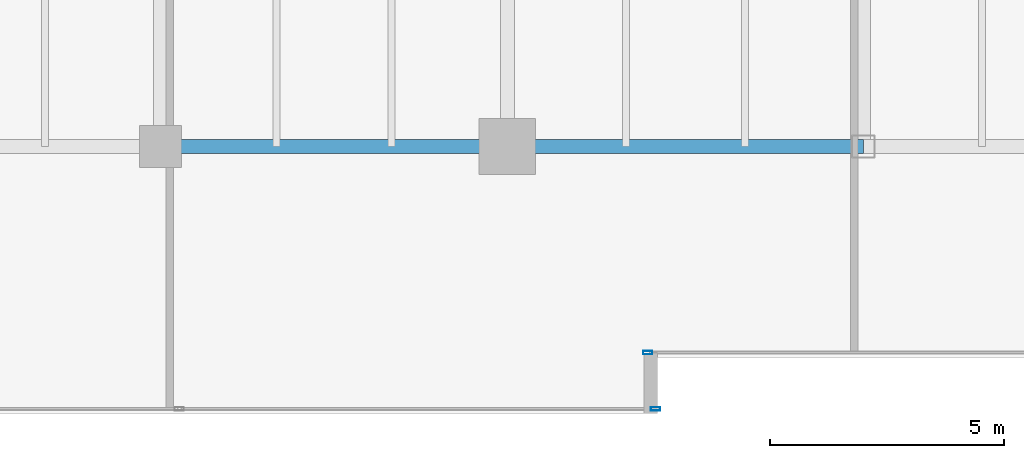
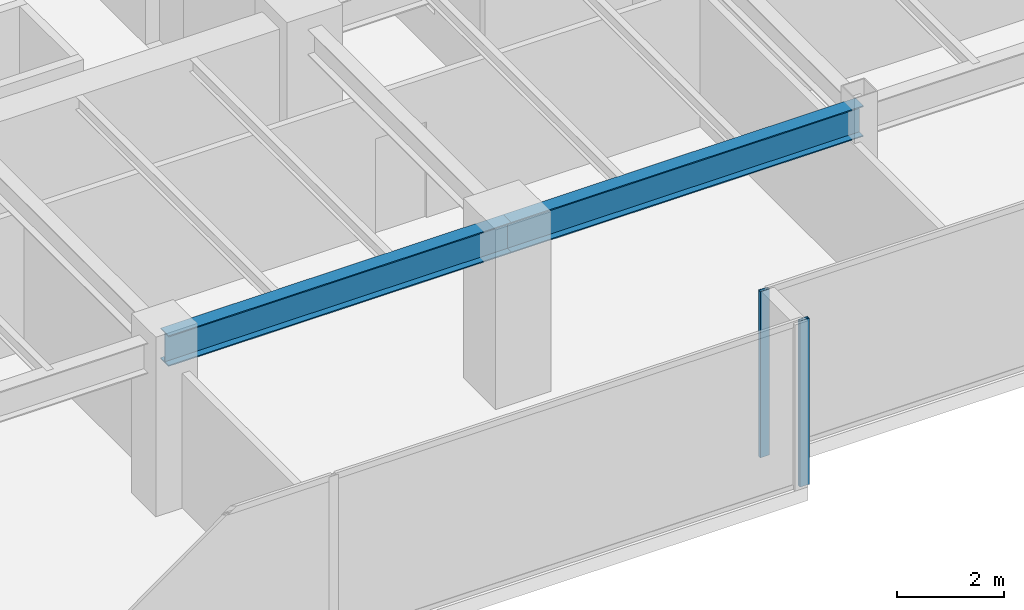
# One storey, part 4 of 31: 2 beams, 2 members, 2 elements without a shape of their own.
"""IFC4 building model written with IfcOpenShell, lengths in metres."""

from ifc_helpers import new_model, si_unit, direction, frame, origin, origin_2d, place, context, subcontext, project, spatial, hollow_rectangle, i_section, extrude, source, transform, mapped, material, layer, layer_set, material_profile, profile_set, type_object, type_shapes, element, aggregate, save


model = new_model("IFC4")

# Units and contexts
model_context = context("Model", 3, precision=1e-05, world=origin(), true_north=direction((0.0, 1.0)))
body_context = subcontext(model_context, "Body", "Model", "MODEL_VIEW")
ifc_project = project(units=[si_unit("LENGTHUNIT", "METRE"), si_unit("AREAUNIT", "SQUARE_METRE"), si_unit("VOLUMEUNIT", "CUBIC_METRE"), si_unit("PLANEANGLEUNIT", "RADIAN"), si_unit("MASSUNIT", "GRAM", prefix="KILO")], contexts=[model_context])

# Site, building, storey
site_placement = place(None, origin())
site = spatial("IfcSite", under=ifc_project, at=site_placement, CompositionType="ELEMENT")
building_placement = place(site_placement, origin())
building = spatial("IfcBuilding", under=site, at=building_placement, Name="Haelvirn Gate Laboratories", CompositionType="ELEMENT")
storey_placement = place(building_placement, frame((0.0, 0.0, 154.300048828125)))
storey = spatial("IfcBuildingStorey", under=building, at=storey_placement, Name="L37", CompositionType="ELEMENT", Elevation=154.300048828125)

# Beams
ifc_material_1 = material(Name="Steel SM355", Category="steel")
ifc_material_profile_1 = material_profile(ifc_material_1, i_section(OverallWidth=0.300048828125, OverallDepth=0.699951171875, WebThickness=0.012939453125, FlangeThickness=0.02392578125, at=origin_2d()), Name="H-700x300x13x24")
ifc_profile_set_1 = profile_set([ifc_material_profile_1], Name="Steel SM355")
beam_type = type_object("IfcBeamType", Name="BM-G-700", PredefinedType="BEAM", material=ifc_profile_set_1)
shared_shape_1 = source(origin(), body_context, "Body", "SweptSolid", [
    extrude(i_section(OverallWidth=0.300048828125, OverallDepth=0.699951171875, WebThickness=0.012939453125, FlangeThickness=0.02392578125, at=origin_2d()), origin(), (0.0, 0.0, 1.0), 7.39990234375),
])
beam_1_placement = place(storey_placement, frame((14.800048828125, 7.0, 3.43994140625), z_axis=(1.0, 0.0, 0.0), x_axis=(0.0, 1.0, 0.0)))
element("IfcBeam", 1, at=beam_1_placement, inside=storey, type_object=beam_type, Name="L37 Primary Girder Y7.0 (14.8-22.2)", PredefinedType="BEAM", context=body_context, shape_type="MappedRepresentation", body=[
    mapped(shared_shape_1, transform((0.0, 0.0, 0.0), scale=1.0)),
])
shared_shape_2 = source(origin(), body_context, "Body", "SweptSolid", [
    extrude(i_section(OverallWidth=0.300048828125, OverallDepth=0.699951171875, WebThickness=0.012939453125, FlangeThickness=0.02392578125, at=origin_2d()), origin(), (0.0, 0.0, 1.0), 7.60009765625),
])
type_shapes(beam_type, [shared_shape_1, shared_shape_2])
beam_2_placement = place(storey_placement, frame((22.199951171875, 7.0, 3.43994140625), z_axis=(1.0, 0.0, 0.0), x_axis=(0.0, 1.0, 0.0)))
element("IfcBeam", 2, at=beam_2_placement, inside=storey, type_object=beam_type, Name="L37 Primary Girder Y7.0 (22.2-29.8)", PredefinedType="BEAM", context=body_context, shape_type="MappedRepresentation", body=[
    mapped(shared_shape_2, transform((0.0, 0.0, 0.0), scale=1.0)),
])

# Curtain wall, member
ifc_material_2 = material(Name="Anodised bronze unitised aluminium & triple low-E glass", Category="aluminium")
ifc_layer = layer(ifc_material_2, 0.179931640625, Name="CW-SYS-3")
ifc_layer_set = layer_set([ifc_layer], Name="Anodised bronze unitised aluminium & triple low-E glass")
curtain_wall_type = type_object("IfcCurtainWallType", Name="CW-SYS-3", PredefinedType="NOTDEFINED", material=ifc_layer_set)
curtain_wall_1_placement = place(storey_placement, origin())
curtain_wall_1 = element("IfcCurtainWall", 3, at=curtain_wall_1_placement, inside=storey, type_object=curtain_wall_type, Name="L37 Unitised Curtain Wall CW-L37-P0-E00-1", PredefinedType="NOTDEFINED")
ifc_material_3 = material(Name="Extruded aluminium 6063-T6 (anodised bronze)", Category="aluminium")
ifc_material_profile_2 = material_profile(ifc_material_3, hollow_rectangle(XDim=0.074951171875, YDim=0.199951171875, WallThickness=0.0048828125, at=origin_2d()), Name="CWM-200x75x5")
ifc_profile_set_2 = profile_set([ifc_material_profile_2], Name="Extruded aluminium 6063-T6 (anodised bronze)")
member_type = type_object("IfcMemberType", Name="CWM-T200", PredefinedType="MULLION", material=ifc_profile_set_2)
shared_shape_3 = source(origin(), body_context, "Body", "SweptSolid", [
    extrude(hollow_rectangle(XDim=0.074951171875, YDim=0.199951171875, WallThickness=0.0048828125, at=origin_2d()), origin(), (0.0, 0.0, 1.0), 3.7900390625),
])
type_shapes(member_type, [shared_shape_3])
member_1_placement = place(storey_placement, frame((25.362548828125, 1.39990234375, 0.0), z_axis=(0.0, 0.0, 1.0), x_axis=(0.0, 1.0, 0.0)))
member_1 = element("IfcMember", 4, at=member_1_placement, type_object=member_type, Name="CW3 mullion 3", PredefinedType="MULLION", context=body_context, shape_type="MappedRepresentation", body=[
    mapped(shared_shape_3, transform((0.0, 0.0, 0.0), scale=1.0)),
])
aggregate(curtain_wall_1, [member_1])

curtain_wall_2_placement = place(storey_placement, origin())
curtain_wall_2 = element("IfcCurtainWall", 5, at=curtain_wall_2_placement, inside=storey, type_object=curtain_wall_type, Name="L37 Unitised Curtain Wall CW-L37-P0-E02-1", PredefinedType="NOTDEFINED")
member_2_placement = place(storey_placement, frame((25.197509765625, 2.60009765625, 0.0), z_axis=(0.0, 0.0, 1.0), x_axis=(0.0, 1.0, 0.0)))
member_2 = element("IfcMember", 6, at=member_2_placement, type_object=member_type, Name="CW3 mullion 1", PredefinedType="MULLION", context=body_context, shape_type="MappedRepresentation", body=[
    mapped(shared_shape_3, transform((0.0, 0.0, 0.0), scale=1.0)),
])
aggregate(curtain_wall_2, [member_2])

save(model, "model.ifc")
